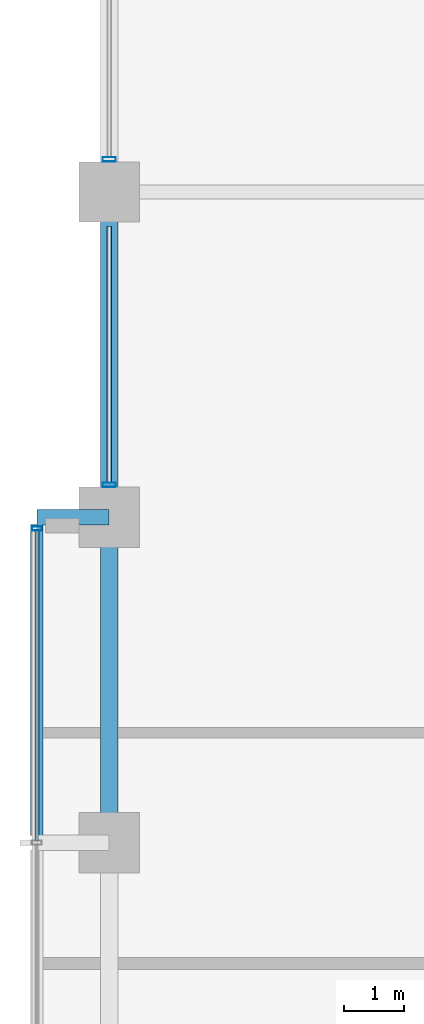
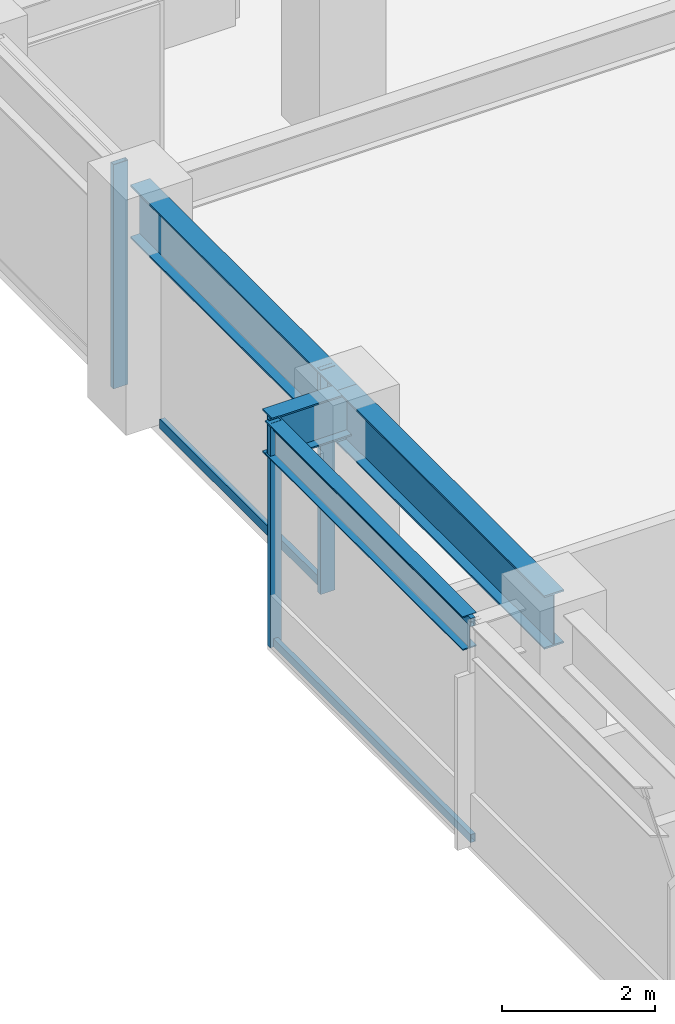
# One storey, part 10 of 26: 6 members, 4 beams, 2 elements without a shape of their own.
"""IFC4 building model written with IfcOpenShell, lengths in metres."""

from ifc_helpers import new_model, si_unit, direction, frame, origin, origin_2d, place, context, subcontext, project, spatial, hollow_rectangle, i_section, extrude, material, layer, layer_set, material_profile, profile_set, type_object, element, aggregate, save


model = new_model("IFC4")

# Units and contexts
model_context = context("Model", 3, precision=1e-05, world=origin(), true_north=direction((0.0, 1.0)))
body_context = subcontext(model_context, "Body", "Model", "MODEL_VIEW")
ifc_project = project(units=[si_unit("LENGTHUNIT", "METRE"), si_unit("AREAUNIT", "SQUARE_METRE"), si_unit("VOLUMEUNIT", "CUBIC_METRE"), si_unit("PLANEANGLEUNIT", "RADIAN"), si_unit("MASSUNIT", "GRAM", prefix="KILO")], contexts=[model_context])

# Site, building, storey
site_placement = place(None, origin())
site = spatial("IfcSite", under=ifc_project, at=site_placement, CompositionType="ELEMENT")
building_placement = place(site_placement, origin())
building = spatial("IfcBuilding", under=site, at=building_placement, Name="Surkhivell Harbour Commons", CompositionType="ELEMENT")
storey_placement = place(building_placement, frame((0.0, 0.0, 143.25)))
storey = spatial("IfcBuildingStorey", under=building, at=storey_placement, Name="L37", CompositionType="ELEMENT", Elevation=143.25)

# Beams
ifc_material_1 = material(Name="Steel S460", Category="steel")
ifc_material_profile_1 = material_profile(ifc_material_1, i_section(OverallWidth=0.256103515625, OverallDepth=0.693115234375, WebThickness=0.014404296875, FlangeThickness=0.023681640625, at=origin_2d()), Name="UB686x254x170")
ifc_profile_set_1 = profile_set([ifc_material_profile_1], Name="Steel S460")
beam_type_1 = type_object("IfcBeamType", Name="BM-CNT-686", PredefinedType="BEAM", material=ifc_profile_set_1)
beam_1_placement = place(storey_placement, frame((-32.39990234375, 10.800048828125, 3.223388671875), z_axis=(-1.0, 0.0, 0.0), x_axis=(0.0, -1.0, 0.0)))
element("IfcBeam", 1, at=beam_1_placement, inside=storey, type_object=beam_type_1, Name="L37 Box Cantilever Outrigger (-32.4,10.8)", PredefinedType="BEAM", context=body_context, shape_type="SweptSolid", body=[
    extrude(i_section(OverallWidth=0.256103515625, OverallDepth=0.693115234375, WebThickness=0.014404296875, FlangeThickness=0.023681640625, at=origin_2d()), origin(), (0.0, 0.0, 1.0), 1.2001953125),
])
ifc_material_2 = material(Name="Steel S355", Category="steel")
ifc_material_profile_2 = material_profile(ifc_material_2, i_section(OverallWidth=0.2099609375, OverallDepth=0.537109375, WebThickness=0.0107421875, FlangeThickness=0.017333984375, at=origin_2d()), Name="UB533x210x101")
ifc_profile_set_2 = profile_set([ifc_material_profile_2], Name="Steel S355")
beam_type_2 = type_object("IfcBeamType", Name="BM-GRD-533B", PredefinedType="BEAM", material=ifc_profile_set_2)
beam_2_placement = place(storey_placement, frame((-33.60009765625, 5.52197265625, 3.301513671875), z_axis=(0.0, 1.0, 0.0), x_axis=(-1.0, 0.0, 0.0)))
element("IfcBeam", 2, at=beam_2_placement, inside=storey, type_object=beam_type_2, Name="L37 Box Rim Spandrel (-33.6,5.4)", PredefinedType="BEAM", context=body_context, shape_type="SweptSolid", body=[
    extrude(i_section(OverallWidth=0.2099609375, OverallDepth=0.537109375, WebThickness=0.0107421875, FlangeThickness=0.017333984375, at=origin_2d()), origin(), (0.0, 0.0, 1.0), 5.156005859375),
])
ifc_material_profile_3 = material_profile(ifc_material_1, i_section(OverallWidth=0.2939453125, OverallDepth=0.85107421875, WebThickness=0.01611328125, FlangeThickness=0.02685546875, at=origin_2d()), Name="UB838x292x226")
ifc_profile_set_3 = profile_set([ifc_material_profile_3], Name="Steel S460")
beam_type_3 = type_object("IfcBeamType", Name="BM-SPN-838", PredefinedType="SPANDREL", material=ifc_profile_set_3)
beam_3_placement = place(storey_placement, frame((-32.39990234375, 5.39990234375, 3.14453125), z_axis=(0.0, 1.0, 0.0), x_axis=(-1.0, 0.0, 0.0)))
element("IfcBeam", 3, at=beam_3_placement, inside=storey, type_object=beam_type_3, Name="L37 Tube Spandrel (-32.4,5.4)", PredefinedType="SPANDREL", context=body_context, shape_type="SweptSolid", body=[
    extrude(i_section(OverallWidth=0.2939453125, OverallDepth=0.85107421875, WebThickness=0.01611328125, FlangeThickness=0.02685546875, at=origin_2d()), origin(), (0.0, 0.0, 1.0), 5.400146484375),
])
beam_4_placement = place(storey_placement, frame((-32.39990234375, 10.800048828125, 3.14453125), z_axis=(0.0, 1.0, 0.0), x_axis=(-1.0, 0.0, 0.0)))
element("IfcBeam", 4, at=beam_4_placement, inside=storey, type_object=beam_type_3, Name="L37 Tube Spandrel (-32.4,10.8)", PredefinedType="SPANDREL", context=body_context, shape_type="SweptSolid", body=[
    extrude(i_section(OverallWidth=0.2939453125, OverallDepth=0.85107421875, WebThickness=0.01611328125, FlangeThickness=0.02685546875, at=origin_2d()), origin(), (0.0, 0.0, 1.0), 5.39990234375),
])

# Curtain wall, member
ifc_material_3 = material(Name="Anodised pale-metal aluminium and insulated glazing", Category="aluminium")
ifc_layer_1 = layer(ifc_material_3, 0.1650390625)
ifc_layer_set_1 = layer_set([ifc_layer_1], Name="Anodised pale-metal aluminium and insulated glazing")
curtain_wall_type_1 = type_object("IfcCurtainWallType", Name="CW-SYS-BOX", PredefinedType="NOTDEFINED", material=ifc_layer_set_1)
curtain_wall_1_placement = place(storey_placement, origin())
curtain_wall_1 = element("IfcCurtainWall", 5, at=curtain_wall_1_placement, inside=storey, type_object=curtain_wall_type_1, Name="L37 Curtain Wall CW-L37-BOX02", PredefinedType="NOTDEFINED")
ifc_material_4 = material(Name="Champagne anodised aluminium alloy 6063-T6", Category="aluminium")
ifc_material_profile_4 = material_profile(ifc_material_4, hollow_rectangle(XDim=0.070068359375, YDim=0.1650390625, WallThickness=0.00341796875, at=origin_2d()), Name="ALU-MULL-70x165")
ifc_profile_set_4 = profile_set([ifc_material_profile_4], Name="Champagne anodised aluminium alloy 6063-T6")
member_type_1 = type_object("IfcMemberType", Name="CWM-165", PredefinedType="MULLION", material=ifc_profile_set_4)
member_1_placement = place(storey_placement, frame((-33.60009765625, 10.614990234375, 0.0), z_axis=(0.0, 0.0, 1.0), x_axis=(0.0, 1.0, 0.0)))
member_1 = element("IfcMember", 6, at=member_1_placement, type_object=member_type_1, Name="CW-BOX mullion 3", PredefinedType="MULLION", context=body_context, shape_type="SweptSolid", body=[
    extrude(hollow_rectangle(XDim=0.070068359375, YDim=0.1650390625, WallThickness=0.00341796875, at=origin_2d()), origin(), (0.0, 0.0, 1.0), 3.570068359375),
])

# Curtain wall, members
ifc_layer_2 = layer(ifc_material_3, 0.205078125)
ifc_layer_set_2 = layer_set([ifc_layer_2], Name="Anodised pale-metal aluminium and insulated glazing")
curtain_wall_type_2 = type_object("IfcCurtainWallType", Name="CW-SYS-Z2", PredefinedType="NOTDEFINED", material=ifc_layer_set_2)
curtain_wall_2_placement = place(storey_placement, origin())
curtain_wall_2 = element("IfcCurtainWall", 7, at=curtain_wall_2_placement, inside=storey, type_object=curtain_wall_type_2, Name="L37 Curtain Wall CW-L37-E12R2", PredefinedType="NOTDEFINED")
ifc_material_5 = material(Name="Anodised pale-metal aluminium alloy 6063-T6", Category="aluminium")
ifc_material_profile_5 = material_profile(ifc_material_5, hollow_rectangle(XDim=0.074951171875, YDim=0.219970703125, WallThickness=0.00390625, at=origin_2d()), Name="ALU-MULL-75x220")
ifc_profile_set_5 = profile_set([ifc_material_profile_5], Name="Anodised pale-metal aluminium alloy 6063-T6")
member_type_2 = type_object("IfcMemberType", Name="CWM-220", PredefinedType="MULLION", material=ifc_profile_set_5)
member_2_placement = place(storey_placement, frame((-32.39990234375, 11.339599609375, 0.0), z_axis=(0.0, 0.0, 1.0), x_axis=(0.0, 1.0, 0.0)))
member_2 = element("IfcMember", 8, at=member_2_placement, type_object=member_type_2, Name="CW-Z2 mullion 1", PredefinedType="MULLION", context=body_context, shape_type="SweptSolid", body=[
    extrude(hollow_rectangle(XDim=0.074951171875, YDim=0.219970703125, WallThickness=0.00390625, at=origin_2d()), origin(), (0.0, 0.0, 1.0), 3.570068359375),
])
member_3_placement = place(storey_placement, frame((-32.39990234375, 16.739501953125, 0.0), z_axis=(0.0, 0.0, 1.0), x_axis=(0.0, 1.0, 0.0)))
member_3 = element("IfcMember", 9, at=member_3_placement, type_object=member_type_2, Name="CW-Z2 mullion 2", PredefinedType="MULLION", context=body_context, shape_type="SweptSolid", body=[
    extrude(hollow_rectangle(XDim=0.074951171875, YDim=0.219970703125, WallThickness=0.00390625, at=origin_2d()), origin(), (0.0, 0.0, 1.0), 3.570068359375),
])

# Member
ifc_material_profile_6 = material_profile(ifc_material_4, hollow_rectangle(XDim=0.070068359375, YDim=0.1298828125, WallThickness=0.00341796875, at=origin_2d()), Name="ALU-TRAN-70x130")
ifc_profile_set_6 = profile_set([ifc_material_profile_6], Name="Champagne anodised aluminium alloy 6063-T6")
member_type_3 = type_object("IfcMemberType", Name="CWT-130", PredefinedType="USERDEFINED", material=ifc_profile_set_6)
member_4_placement = place(storey_placement, frame((-33.60009765625, 5.43505859375, 0.06494140625), z_axis=(0.0, 1.0, 0.0), x_axis=(-1.0, 0.0, 0.0)))
member_4 = element("IfcMember", 10, at=member_4_placement, type_object=member_type_3, Name="CW-BOX transom 2.1", ObjectType="TRANSOM", PredefinedType="USERDEFINED", context=body_context, shape_type="SweptSolid", body=[
    extrude(hollow_rectangle(XDim=0.070068359375, YDim=0.1298828125, WallThickness=0.00341796875, at=origin_2d()), origin(), (0.0, 0.0, 1.0), 5.14501953125),
])

member_5_placement = place(storey_placement, frame((-33.60009765625, 5.43505859375, 3.5048828125), z_axis=(0.0, 1.0, 0.0), x_axis=(-1.0, 0.0, 0.0)))
member_5 = element("IfcMember", 11, at=member_5_placement, type_object=member_type_3, Name="CW-BOX transom 2.2", ObjectType="TRANSOM", PredefinedType="USERDEFINED", context=body_context, shape_type="SweptSolid", body=[
    extrude(hollow_rectangle(XDim=0.070068359375, YDim=0.1298828125, WallThickness=0.00341796875, at=origin_2d()), origin(), (0.0, 0.0, 1.0), 5.14501953125),
])

aggregate(curtain_wall_1, [member_1, member_4, member_5])

ifc_material_profile_7 = material_profile(ifc_material_5, hollow_rectangle(XDim=0.074951171875, YDim=0.14990234375, WallThickness=0.00341796875, at=origin_2d()), Name="ALU-TRAN-75x150")
ifc_profile_set_7 = profile_set([ifc_material_profile_7], Name="Anodised pale-metal aluminium alloy 6063-T6")
member_type_4 = type_object("IfcMemberType", Name="CWT-150", PredefinedType="USERDEFINED", material=ifc_profile_set_7)
member_6_placement = place(storey_placement, frame((-32.39990234375, 11.376953125, 0.074951171875), z_axis=(0.0, 1.0, 0.0), x_axis=(-1.0, 0.0, 0.0)))
member_6 = element("IfcMember", 12, at=member_6_placement, type_object=member_type_4, Name="CW-Z2 transom 1.1", ObjectType="TRANSOM", PredefinedType="USERDEFINED", context=body_context, shape_type="SweptSolid", body=[
    extrude(hollow_rectangle(XDim=0.074951171875, YDim=0.14990234375, WallThickness=0.00341796875, at=origin_2d()), origin(), (0.0, 0.0, 1.0), 4.24609375),
])

aggregate(curtain_wall_2, [member_2, member_6, member_3])

save(model, "model.ifc")
